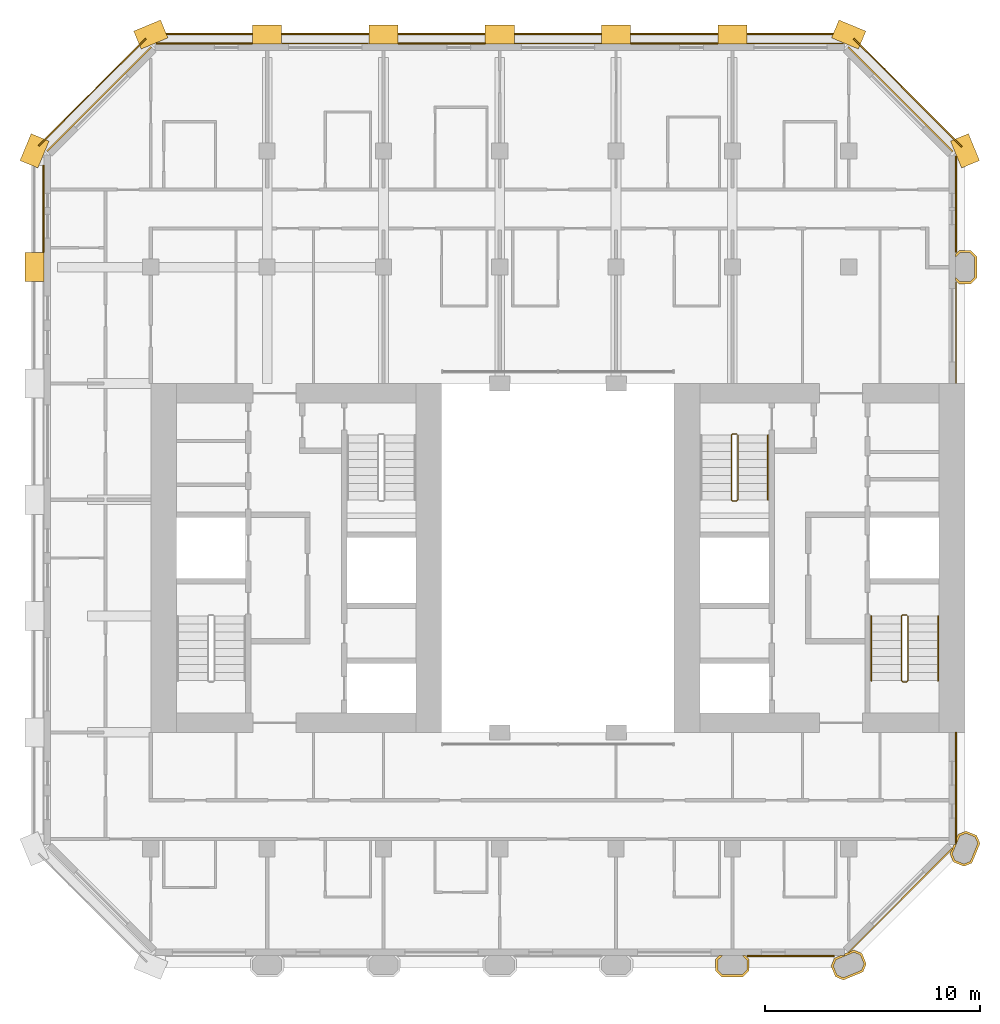
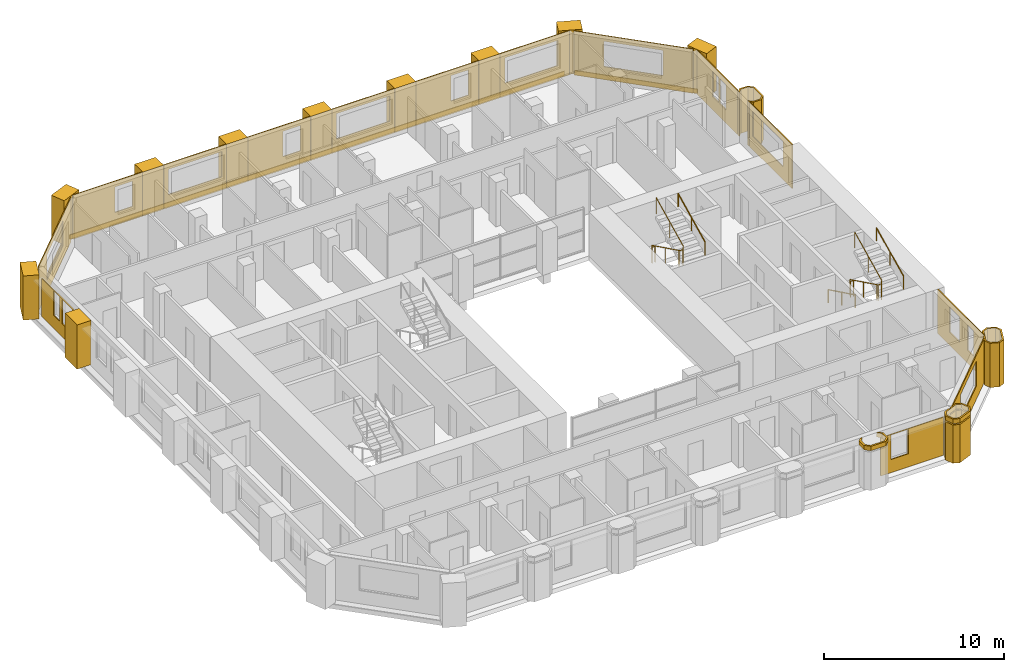
# One storey, part 13 of 13: 32 coverings, 5 railings.
"""IFC4 building model written with IfcOpenShell, lengths in metres."""

from ifc_helpers import new_model, si_unit, direction, frame, frame_2d, origin, origin_2d, place, context, subcontext, project, spatial, polyline, rectangle, circle, outline, extrude, material, layer, layer_set, type_object, element, save


model = new_model("IFC4")

# Units and contexts
model_context = context("Model", 3, precision=1e-05, world=origin(), true_north=direction((0.0, 1.0)))
body_context = subcontext(model_context, "Body", "Model", "MODEL_VIEW")
ifc_project = project(units=[si_unit("LENGTHUNIT", "METRE"), si_unit("AREAUNIT", "SQUARE_METRE"), si_unit("VOLUMEUNIT", "CUBIC_METRE"), si_unit("PLANEANGLEUNIT", "RADIAN"), si_unit("MASSUNIT", "GRAM", prefix="KILO")], contexts=[model_context])

# Site, building, storey
site_placement = place(None, origin())
site = spatial("IfcSite", under=ifc_project, at=site_placement, CompositionType="ELEMENT")
building_placement = place(site_placement, origin())
building = spatial("IfcBuilding", under=site, at=building_placement, Name="Tabaq Tower and Sports Hall", CompositionType="ELEMENT")
storey_placement = place(building_placement, frame((0.0, 0.0, 220.300048828125)))
storey = spatial("IfcBuildingStorey", under=building, at=storey_placement, Name="L55", CompositionType="ELEMENT", Elevation=220.300048828125)

# Coverings
ifc_material_1 = material(Name="Precast concrete C60/75", Category="concrete")
ifc_layer_1 = layer(ifc_material_1, 0.10009765625)
ifc_layer_set_1 = layer_set([ifc_layer_1], Name="Column cladding 100")
covering_type_1 = type_object("IfcCoveringType", Name="Column cladding 100", PredefinedType="CLADDING", material=ifc_layer_set_1)
covering_1_placement = place(storey_placement, frame((0.0, 0.0, 2.699951171875)))
element("IfcCovering", 1, at=covering_1_placement, inside=storey, type_object=covering_type_1, Name="Column cladding L55 PC-7B-H3 2", PredefinedType="CLADDING", context=body_context, shape_type="SweptSolid", body=[
    extrude(outline(polyline([(31.625244140625, 5.666259765625), (31.80859375, 5.849609375), (31.94921875, 5.849609375), (31.724609375, 5.625244140625), (31.724609375, 5.1748046875), (31.949951171875, 4.94970703125), (32.85009765625, 4.94970703125), (33.0751953125, 5.1748046875), (33.0751953125, 5.625244140625), (32.850830078125, 5.849609375), (32.9912109375, 5.849609375), (33.1748046875, 5.666259765625), (33.1748046875, 5.1337890625), (32.891357421875, 4.850341796875), (31.90869140625, 4.850341796875), (31.625244140625, 5.1337890625), (31.625244140625, 5.666259765625)])), origin(), (0.0, 0.0, 1.0), 0.300048828125),
])
covering_2_placement = place(storey_placement, origin())
element("IfcCovering", 2, at=covering_2_placement, inside=storey, type_object=covering_type_1, Name="Column cladding L55 PC-8B-H3", PredefinedType="CLADDING", context=body_context, shape_type="SweptSolid", body=[
    extrude(outline(polyline([(36.982421875, 5.349609375), (37.1357421875, 5.7197265625), (37.44921875, 5.849609375), (37.614013671875, 5.849609375), (37.614013671875, 5.91796875), (37.767578125, 5.9814453125), (37.799072265625, 5.9501953125), (37.875, 6.026123046875), (38.04345703125, 6.095947265625), (38.413818359375, 5.9423828125), (38.61767578125, 5.450439453125), (38.46435546875, 5.080078125), (37.556396484375, 4.7041015625), (37.186279296875, 4.857421875), (36.982421875, 5.349609375)]), holes=[polyline([(38.510009765625, 5.450439453125), (38.337646484375, 5.866455078125), (38.04345703125, 5.98828125), (37.2119140625, 5.643798828125), (37.08984375, 5.349609375), (37.26220703125, 4.93359375), (37.556396484375, 4.811767578125), (38.38818359375, 5.15625), (38.510009765625, 5.450439453125)])]), origin(), (0.0, 0.0, 1.0), 2.599853515625),
])
covering_3_placement = place(storey_placement, frame((0.0, 0.0, 2.699951171875)))
element("IfcCovering", 3, at=covering_3_placement, inside=storey, type_object=covering_type_1, Name="Column cladding L55 PC-8B-H3 2", PredefinedType="CLADDING", context=body_context, shape_type="SweptSolid", body=[
    extrude(outline(polyline([(36.982421875, 5.349609375), (37.1357421875, 5.7197265625), (37.44921875, 5.849609375), (37.614013671875, 5.849609375), (37.614013671875, 5.91796875), (37.767578125, 5.9814453125), (37.799072265625, 5.9501953125), (37.875, 6.026123046875), (38.04345703125, 6.095947265625), (38.413818359375, 5.9423828125), (38.61767578125, 5.450439453125), (38.46435546875, 5.080078125), (37.556396484375, 4.7041015625), (37.186279296875, 4.857421875), (36.982421875, 5.349609375)]), holes=[polyline([(38.510009765625, 5.450439453125), (38.337646484375, 5.866455078125), (38.04345703125, 5.98828125), (37.2119140625, 5.643798828125), (37.08984375, 5.349609375), (37.26220703125, 4.93359375), (37.556396484375, 4.811767578125), (38.38818359375, 5.15625), (38.510009765625, 5.450439453125)])]), origin(), (0.0, 0.0, 1.0), 0.300048828125),
])
covering_4_placement = place(storey_placement, origin())
element("IfcCovering", 4, at=covering_4_placement, inside=storey, type_object=covering_type_1, Name="Column cladding L55 PC-9C-H3", PredefinedType="CLADDING", context=body_context, shape_type="SweptSolid", body=[
    extrude(outline(polyline([(42.657470703125, 10.186279296875), (42.504150390625, 10.556396484375), (42.573974609375, 10.72509765625), (42.64990234375, 10.801025390625), (42.618408203125, 10.83251953125), (42.68212890625, 10.986083984375), (42.750244140625, 10.986083984375), (42.750244140625, 11.04296875), (42.810302734375, 11.04296875), (42.810302734375, 11.295654296875), (42.880126953125, 11.46435546875), (43.25048828125, 11.61767578125), (43.742431640625, 11.413818359375), (43.895751953125, 11.04345703125), (43.519775390625, 10.1357421875), (43.149658203125, 9.982421875), (42.657470703125, 10.186279296875)]), holes=[polyline([(43.66650390625, 11.337646484375), (43.25048828125, 11.510009765625), (42.956298828125, 11.38818359375), (42.61181640625, 10.556396484375), (42.733642578125, 10.26220703125), (43.149658203125, 10.08984375), (43.44384765625, 10.2119140625), (43.788330078125, 11.04345703125), (43.66650390625, 11.337646484375)])]), origin(), (0.0, 0.0, 1.0), 3.0),
])
covering_5_placement = place(storey_placement, origin())
element("IfcCovering", 5, at=covering_5_placement, inside=storey, type_object=covering_type_1, Name="Column cladding L55 PC-9H-H3", PredefinedType="CLADDING", context=body_context, shape_type="SweptSolid", body=[
    extrude(outline(polyline([(42.93359375, 37.025390625), (42.750244140625, 37.208740234375), (42.750244140625, 37.349365234375), (42.974853515625, 37.124755859375), (43.425048828125, 37.124755859375), (43.650390625, 37.349853515625), (43.650390625, 38.250244140625), (43.425048828125, 38.475341796875), (42.974853515625, 38.475341796875), (42.750244140625, 38.250732421875), (42.750244140625, 38.391357421875), (42.93359375, 38.57470703125), (43.46630859375, 38.57470703125), (43.749755859375, 38.291259765625), (43.749755859375, 37.30859375), (43.46630859375, 37.025390625), (42.93359375, 37.025390625)])), origin(), (0.0, 0.0, 1.0), 3.0),
])
ifc_material_2 = material(Name="Precast concrete C60/75", Category="concrete")
ifc_layer_2 = layer(ifc_material_2, 0.06005859375)
ifc_layer_set_2 = layer_set([ifc_layer_2], Name="Edge beam cladding 60")
covering_type_2 = type_object("IfcCoveringType", Name="Edge beam cladding 60", PredefinedType="CLADDING", material=ifc_layer_set_2)
covering_6_placement = place(storey_placement, frame((43.04443359375, 43.39794921875, -0.300048828125), z_axis=(0.0, 0.0, 1.0), x_axis=(-0.707106781187, 0.707106781187, 0.0)))
element("IfcCovering", 6, at=covering_6_placement, inside=storey, type_object=covering_type_2, Name="Edge beam cladding L55 1", PredefinedType="CLADDING", context=body_context, shape_type="SweptSolid", body=[
    extrude(rectangle(XDim=7.08837890625, YDim=0.06005859375, at=frame_2d((3.544189453125, 0.0))), origin(), (0.0, 0.0, 1.0), 0.300048828125),
])
covering_7_placement = place(storey_placement, frame((37.50146484375, 48.6298828125, -0.300048828125), z_axis=(0.0, 0.0, 1.0), x_axis=(-1.0, 0.0, 0.0)))
element("IfcCovering", 7, at=covering_7_placement, inside=storey, type_object=covering_type_2, Name="Edge beam cladding L55 2", PredefinedType="CLADDING", context=body_context, shape_type="SweptSolid", body=[
    extrude(rectangle(XDim=31.802978515625, YDim=0.06005859375, at=frame_2d((15.9013671875, 0.0))), origin(), (0.0, 0.0, 1.0), 0.300048828125),
])
covering_8_placement = place(storey_placement, frame((5.167724609375, 48.41015625, -0.300048828125), z_axis=(0.0, 0.0, 1.0), x_axis=(-0.707106781187, -0.707106781187, 0.0)))
element("IfcCovering", 8, at=covering_8_placement, inside=storey, type_object=covering_type_2, Name="Edge beam cladding L55 3", PredefinedType="CLADDING", context=body_context, shape_type="SweptSolid", body=[
    extrude(rectangle(XDim=7.03955078125, YDim=0.06005859375, at=frame_2d((3.519775390625, 0.0))), origin(), (0.0, 0.0, 1.0), 0.300048828125),
])
ifc_material_3 = material(Name="White precast concrete C60/75", Category="concrete")
covering_type_3 = type_object("IfcCoveringType", Name="Pier cladding hung 1350x900", PredefinedType="CLADDING", material=ifc_material_3)
for number, where, z_axis, x_axis, name in (
    (9, (0.0, 38.47509765625, 0.0), (0.0, 0.0, 1.0), (0.0, -1.0, 0.0), "Hung pier cladding 0/7"),
    (10, (0.25830078125, 43.82373046875, 0.0), (0.0, 0.0, 1.0), (-0.382649923473, -0.923893411637, 0.0), "Hung pier cladding 0/8"),
    (11, (6.023681640625, 48.8583984375, 0.0), (0.0, 0.0, 1.0), (-0.923893411637, -0.382649923473, 0.0), "Hung pier cladding 1/9"),
    (12, (11.47509765625, 48.60009765625, 0.0), (0.0, 0.0, 1.0), (-1.0, 0.0, 0.0), "Hung pier cladding 2/9"),
    (13, (16.875, 48.60009765625, 0.0), (0.0, 0.0, 1.0), (-1.0, 0.0, 0.0), "Hung pier cladding 3/9"),
):
    element("IfcCovering", number, at=place(storey_placement, frame(where, z_axis=z_axis, x_axis=x_axis)), inside=storey, type_object=covering_type_3, Name=name, PredefinedType="CLADDING", context=body_context, shape_type="SweptSolid", body=[
        extrude(rectangle(XDim=1.35009765625, YDim=0.89990234375, at=frame_2d((0.675048828125, 0.0))), origin(), (0.0, 0.0, 1.0), 3.0),
    ])
covering_9_placement = place(storey_placement, frame((22.27490234375, 48.60009765625, 0.0), z_axis=(0.0, 0.0, 1.0), x_axis=(-1.0, 0.0, 0.0)))
element("IfcCovering", 14, at=covering_9_placement, inside=storey, type_object=covering_type_3, Name="Hung pier cladding 4/9", PredefinedType="CLADDING", context=body_context, shape_type="SweptSolid", body=[
    extrude(rectangle(XDim=1.349853515625, YDim=0.89990234375, at=frame_2d((0.6748046875, 0.0))), origin(), (0.0, 0.0, 1.0), 3.0),
])
covering_10_placement = place(storey_placement, frame((27.675048828125, 48.60009765625, 0.0), z_axis=(0.0, 0.0, 1.0), x_axis=(-1.0, 0.0, 0.0)))
element("IfcCovering", 15, at=covering_10_placement, inside=storey, type_object=covering_type_3, Name="Hung pier cladding 5/9", PredefinedType="CLADDING", context=body_context, shape_type="SweptSolid", body=[
    extrude(rectangle(XDim=1.35009765625, YDim=0.89990234375, at=frame_2d((0.675048828125, 0.0))), origin(), (0.0, 0.0, 1.0), 3.0),
])
covering_11_placement = place(storey_placement, frame((33.074951171875, 48.60009765625, 0.0), z_axis=(0.0, 0.0, 1.0), x_axis=(-1.0, 0.0, 0.0)))
element("IfcCovering", 16, at=covering_11_placement, inside=storey, type_object=covering_type_3, Name="Hung pier cladding 6/9", PredefinedType="CLADDING", context=body_context, shape_type="SweptSolid", body=[
    extrude(rectangle(XDim=1.349853515625, YDim=0.89990234375, at=frame_2d((0.6748046875, 0.0))), origin(), (0.0, 0.0, 1.0), 3.0),
])
for number, where, z_axis, x_axis, name in (
    (17, (38.423583984375, 48.341796875, 0.0), (0.0, 0.0, 1.0), (-0.923893411637, 0.382649923473, 0.0), "Hung pier cladding 7/9"),
    (18, (43.458251953125, 42.576416015625, 0.0), (0.0, 0.0, 1.0), (-0.382649923473, 0.923893411637, 0.0), "Hung pier cladding 8/8"),
):
    element("IfcCovering", number, at=place(storey_placement, frame(where, z_axis=z_axis, x_axis=x_axis)), inside=storey, type_object=covering_type_3, Name=name, PredefinedType="CLADDING", context=body_context, shape_type="SweptSolid", body=[
        extrude(rectangle(XDim=1.35009765625, YDim=0.89990234375, at=frame_2d((0.675048828125, 0.0))), origin(), (0.0, 0.0, 1.0), 3.0),
    ])

# Railings
ifc_material_4 = material(Name="Stainless steel", Category="steel")
railing_type_1 = type_object("IfcRailingType", Name="Stair guard", PredefinedType="GUARDRAIL", material=ifc_material_4)
railing_1_placement = place(storey_placement, frame((40.5, 21.64990234375, 0.0)))
element("IfcRailing", 19, at=railing_1_placement, inside=storey, type_object=railing_type_1, Name="L55 ST3 stair guard 1", PredefinedType="GUARDRAIL", context=body_context, shape_type="SweptSolid", body=[
    extrude(circle(Radius=0.02392578125, at=origin_2d()), frame((0.0, 0.0, 1.076171875), z_axis=(-1.0, 0.0, 0.0), x_axis=(0.0, -1.0, 0.0)), (0.0, 0.0, 1.0), 0.199951171875),
    extrude(circle(Radius=0.02392578125, at=origin_2d()), frame((-0.199951171875, 0.0, 1.076171875), z_axis=(-0.254733673405, -0.25349107012, 0.933195066962), x_axis=(0.705375805398, -0.708833529934, 0.0)), (0.0, 0.0, 1.0), 0.196533203125),
    extrude(circle(Radius=0.02392578125, at=origin_2d()), frame((-0.25, -0.0498046875, 1.25927734375), z_axis=(0.0, -0.898397823093, 0.439182594671), x_axis=(1.0, 0.0, 0.0)), (0.0, 0.0, 1.0), 3.33935546875),
    extrude(circle(Radius=0.02392578125, at=origin_2d()), frame((-0.25, -3.0498046875, 2.72607421875), z_axis=(0.707106781187, -0.707106781187, 0.0), x_axis=(0.707106781187, 0.707106781187, 0.0)), (0.0, 0.0, 1.0), 0.07080078125),
    extrude(circle(Radius=0.02392578125, at=origin_2d()), frame((-0.199951171875, -3.099853515625, 2.72607421875), z_axis=(1.0, 0.0, 0.0), x_axis=(0.0, 1.0, 0.0)), (0.0, 0.0, 1.0), 0.199951171875),
    extrude(circle(Radius=0.02392578125, at=origin_2d()), frame((0.0, -3.099853515625, 2.72607421875), z_axis=(0.254653276557, 0.254653276557, 0.932900539971), x_axis=(-0.707106781187, 0.707106781187, 0.0)), (0.0, 0.0, 1.0), 0.196533203125),
    extrude(circle(Radius=0.02392578125, at=origin_2d()), frame((0.050048828125, -3.0498046875, 2.9091796875), z_axis=(0.0, 0.898368975038, 0.439241601728), x_axis=(-1.0, 0.0, 0.0)), (0.0, 0.0, 1.0), 3.33935546875),
    extrude(circle(Radius=0.02099609375, at=origin_2d()), origin(), (0.0, 0.0, 1.0), 1.052001953125),
    extrude(circle(Radius=0.02099609375, at=origin_2d()), frame((-0.199951171875, 0.0, 0.0)), (0.0, 0.0, 1.0), 1.052001953125),
    extrude(circle(Radius=0.02099609375, at=origin_2d()), frame((-0.25, -0.0498046875, 0.183349609375)), (0.0, 0.0, 1.0), 1.052001953125),
    extrude(circle(Radius=0.02099609375, at=origin_2d()), frame((-0.25, -1.5498046875, 0.91650390625)), (0.0, 0.0, 1.0), 1.052001953125),
    extrude(circle(Radius=0.02099609375, at=origin_2d()), frame((-0.25, -3.0498046875, 1.64990234375)), (0.0, 0.0, 1.0), 1.052001953125),
    extrude(circle(Radius=0.02099609375, at=origin_2d()), frame((-0.199951171875, -3.099853515625, 1.64990234375)), (0.0, 0.0, 1.0), 1.052001953125),
    extrude(circle(Radius=0.02099609375, at=origin_2d()), frame((0.0, -3.099853515625, 1.64990234375)), (0.0, 0.0, 1.0), 1.052001953125),
    extrude(circle(Radius=0.02099609375, at=origin_2d()), frame((0.050048828125, -3.0498046875, 1.833251953125)), (0.0, 0.0, 1.0), 1.052001953125),
    extrude(circle(Radius=0.02099609375, at=origin_2d()), frame((0.050048828125, -1.5498046875, 2.566650390625)), (0.0, 0.0, 1.0), 1.052001953125),
    extrude(circle(Radius=0.02099609375, at=origin_2d()), frame((0.050048828125, -0.0498046875, 3.300048828125)), (0.0, 0.0, 1.0), 1.052001953125),
])
railing_2_placement = place(storey_placement, frame((32.60009765625, 30.050048828125, 0.0)))
element("IfcRailing", 20, at=railing_2_placement, inside=storey, type_object=railing_type_1, Name="L55 ST4 stair guard 1", PredefinedType="GUARDRAIL", context=body_context, shape_type="SweptSolid", body=[
    extrude(circle(Radius=0.02392578125, at=origin_2d()), frame((0.0, 0.0, 1.076171875), z_axis=(-1.0, 0.0, 0.0), x_axis=(0.0, -1.0, 0.0)), (0.0, 0.0, 1.0), 0.2001953125),
    extrude(circle(Radius=0.02392578125, at=origin_2d()), frame((-0.2001953125, 0.0, 1.076171875), z_axis=(-0.25349107012, -0.254733673405, 0.933195066962), x_axis=(0.708833529934, -0.705375805398, 0.0)), (0.0, 0.0, 1.0), 0.196533203125),
    extrude(circle(Radius=0.02392578125, at=origin_2d()), frame((-0.25, -0.050048828125, 1.25927734375), z_axis=(0.0, -0.898397823093, 0.439182594671), x_axis=(1.0, 0.0, 0.0)), (0.0, 0.0, 1.0), 3.33935546875),
    extrude(circle(Radius=0.02392578125, at=origin_2d()), frame((-0.25, -3.050048828125, 2.72607421875), z_axis=(0.705375805398, -0.708833529934, 0.0), x_axis=(0.708833529934, 0.705375805398, 0.0)), (0.0, 0.0, 1.0), 0.070556640625),
    extrude(circle(Radius=0.02392578125, at=origin_2d()), frame((-0.2001953125, -3.10009765625, 2.72607421875), z_axis=(1.0, 0.0, 0.0), x_axis=(0.0, 1.0, 0.0)), (0.0, 0.0, 1.0), 0.2001953125),
    extrude(circle(Radius=0.02392578125, at=origin_2d()), frame((0.0, -3.10009765625, 2.72607421875), z_axis=(0.25349107012, 0.254733673405, 0.933195066962), x_axis=(-0.708833529934, 0.705375805398, 0.0)), (0.0, 0.0, 1.0), 0.196533203125),
    extrude(circle(Radius=0.02392578125, at=origin_2d()), frame((0.0498046875, -3.050048828125, 2.9091796875), z_axis=(0.0, 0.898368975038, 0.439241601728), x_axis=(-1.0, 0.0, 0.0)), (0.0, 0.0, 1.0), 3.33935546875),
    extrude(circle(Radius=0.02099609375, at=origin_2d()), origin(), (0.0, 0.0, 1.0), 1.052001953125),
    extrude(circle(Radius=0.02099609375, at=origin_2d()), frame((-0.2001953125, 0.0, 0.0)), (0.0, 0.0, 1.0), 1.052001953125),
    extrude(circle(Radius=0.02099609375, at=origin_2d()), frame((-0.25, -0.050048828125, 0.183349609375)), (0.0, 0.0, 1.0), 1.052001953125),
    extrude(circle(Radius=0.02099609375, at=origin_2d()), frame((-0.25, -1.550048828125, 0.91650390625)), (0.0, 0.0, 1.0), 1.052001953125),
    extrude(circle(Radius=0.02099609375, at=origin_2d()), frame((-0.25, -3.050048828125, 1.64990234375)), (0.0, 0.0, 1.0), 1.052001953125),
    extrude(circle(Radius=0.02099609375, at=origin_2d()), frame((-0.2001953125, -3.10009765625, 1.64990234375)), (0.0, 0.0, 1.0), 1.052001953125),
    extrude(circle(Radius=0.02099609375, at=origin_2d()), frame((0.0, -3.10009765625, 1.64990234375)), (0.0, 0.0, 1.0), 1.052001953125),
    extrude(circle(Radius=0.02099609375, at=origin_2d()), frame((0.0498046875, -3.050048828125, 1.833251953125)), (0.0, 0.0, 1.0), 1.052001953125),
    extrude(circle(Radius=0.02099609375, at=origin_2d()), frame((0.0498046875, -1.550048828125, 2.566650390625)), (0.0, 0.0, 1.0), 1.052001953125),
    extrude(circle(Radius=0.02099609375, at=origin_2d()), frame((0.0498046875, -0.050048828125, 3.300048828125)), (0.0, 0.0, 1.0), 1.052001953125),
])
ifc_material_5 = material(Name="Stainless steel", Category="steel")
railing_type_2 = type_object("IfcRailingType", Name="Stair handrail", PredefinedType="HANDRAIL", material=ifc_material_5)
railing_3_placement = place(storey_placement, frame((38.85009765625, 21.60009765625, 0.183349609375)))
element("IfcRailing", 21, at=railing_3_placement, inside=storey, type_object=railing_type_2, Name="L55 ST3 stair handrail 1", PredefinedType="HANDRAIL", context=body_context, shape_type="SweptSolid", body=[
    extrude(circle(Radius=0.02392578125, at=origin_2d()), frame((0.0, 0.0, 0.8759765625), z_axis=(0.0, -0.898397823093, 0.439182594671), x_axis=(1.0, 0.0, 0.0)), (0.0, 0.0, 1.0), 3.33935546875),
    extrude(circle(Radius=0.02099609375, at=origin_2d()), origin(), (0.0, 0.0, 1.0), 0.851806640625),
    extrude(circle(Radius=0.02099609375, at=origin_2d()), frame((0.0, -1.5, 0.7333984375)), (0.0, 0.0, 1.0), 0.851806640625),
    extrude(circle(Radius=0.02099609375, at=origin_2d()), frame((0.0, -3.0, 1.466552734375)), (0.0, 0.0, 1.0), 0.851806640625),
])
for number, where, name in (
    (22, (41.949951171875, 18.60009765625, 1.833251953125), "L55 ST3 stair handrail 2"),
    (23, (34.050048828125, 27.0, 1.833251953125), "L55 ST4 stair handrail 2"),
):
    element("IfcRailing", number, at=place(storey_placement, frame(where)), inside=storey, type_object=railing_type_2, Name=name, PredefinedType="HANDRAIL", context=body_context, shape_type="SweptSolid", body=[
        extrude(circle(Radius=0.02392578125, at=origin_2d()), frame((0.0, 0.0, 0.8759765625), z_axis=(0.0, 0.898368975038, 0.439241601728), x_axis=(-1.0, 0.0, 0.0)), (0.0, 0.0, 1.0), 3.33935546875),
        extrude(circle(Radius=0.02099609375, at=origin_2d()), origin(), (0.0, 0.0, 1.0), 0.851806640625),
        extrude(circle(Radius=0.02099609375, at=origin_2d()), frame((0.0, 1.5, 0.7333984375)), (0.0, 0.0, 1.0), 0.851806640625),
        extrude(circle(Radius=0.02099609375, at=origin_2d()), frame((0.0, 3.0, 1.466796875)), (0.0, 0.0, 1.0), 0.851806640625),
    ])

# Coverings
ifc_material_6 = material(Name="Precast concrete C60/75", Category="concrete")
ifc_layer_3 = layer(ifc_material_6, 0.06005859375)
ifc_layer_set_3 = layer_set([ifc_layer_3], Name="White precast cladding panel 60 C60/75")
covering_type_4 = type_object("IfcCoveringType", Name="White precast cladding panel 60 C60/75", PredefinedType="CLADDING", material=ifc_layer_set_3)
covering_12_placement = place(storey_placement, frame((33.0849609375, 5.820068359375, 0.0), z_axis=(0.0, 0.0, 1.0), x_axis=(1.0, 0.0, 0.0)))
element("IfcCovering", 24, at=covering_12_placement, inside=storey, type_object=covering_type_4, Name="White precast cladding panel L55 wall00 6", PredefinedType="CLADDING", context=body_context, shape_type="SweptSolid", body=[
    extrude(outline(polyline([(0.0, 0.0), (4.050048828125, 0.0), (4.050048828125, 2.58984375), (0.0, 2.58984375), (0.0, 0.0)]), holes=[polyline([(1.77490234375, 0.889892578125), (0.655029296875, 0.889892578125), (0.655029296875, 2.56005859375), (1.77490234375, 2.56005859375), (1.77490234375, 0.889892578125)])]), frame((0.0, 0.030029296875, 0.0), z_axis=(0.0, -1.0, 0.0), x_axis=(1.0, 0.0, 0.0)), (0.0, 0.0, 1.0), 0.06005859375),
])
covering_13_placement = place(storey_placement, frame((37.77783203125, 5.9716796875, 0.0), z_axis=(0.0, 0.0, 1.0), x_axis=(0.707088985397, 0.707124576528, 0.0)))
element("IfcCovering", 25, at=covering_13_placement, inside=storey, type_object=covering_type_4, Name="White precast cladding panel L55 wall01", PredefinedType="CLADDING", context=body_context, shape_type="SweptSolid", body=[
    extrude(outline(polyline([(0.0, 0.0), (6.859619140625, 0.0), (6.859619140625, 3.0), (0.0, 3.0), (0.0, 0.0)]), holes=[polyline([(1.7197265625, 0.889892578125), (1.7197265625, 2.60986328125), (5.139892578125, 2.60986328125), (5.139892578125, 0.889892578125), (1.7197265625, 0.889892578125)])]), frame((0.0, 0.030029296875, 0.0), z_axis=(0.0, -1.0, 0.0), x_axis=(1.0, 0.0, 0.0)), (0.0, 0.0, 1.0), 0.06005859375),
])
covering_14_placement = place(storey_placement, frame((42.780029296875, 11.043212890625, 0.0), z_axis=(0.0, 0.0, 1.0), x_axis=(0.0, 1.0, 0.0)))
element("IfcCovering", 26, at=covering_14_placement, inside=storey, type_object=covering_type_4, Name="White precast cladding panel L55 wall02", PredefinedType="CLADDING", context=body_context, shape_type="SweptSolid", body=[
    extrude(outline(polyline([(0.0, 0.0), (5.15673828125, 0.0), (5.15673828125, 3.0), (0.0, 3.0), (0.0, 0.0)]), holes=[polyline([(1.171875, 2.60986328125), (1.841796875, 2.60986328125), (1.841796875, 0.889892578125), (1.171875, 0.889892578125), (1.171875, 2.60986328125)]), polyline([(2.69677734375, 2.60986328125), (3.81689453125, 2.60986328125), (3.81689453125, 0.889892578125), (2.69677734375, 0.889892578125), (2.69677734375, 2.60986328125)])]), frame((0.0, 0.030029296875, 0.0), z_axis=(0.0, -1.0, 0.0), x_axis=(1.0, 0.0, 0.0)), (0.0, 0.0, 1.0), 0.06005859375),
])
covering_15_placement = place(storey_placement, frame((42.780029296875, 32.39990234375, 0.0), z_axis=(0.0, 0.0, 1.0), x_axis=(0.0, 1.0, 0.0)))
element("IfcCovering", 27, at=covering_15_placement, inside=storey, type_object=covering_type_4, Name="White precast cladding panel L55 wall02-1", PredefinedType="CLADDING", context=body_context, shape_type="SweptSolid", body=[
    extrude(outline(polyline([(0.0, 0.0), (4.715087890625, 0.0), (4.715087890625, 3.0), (0.0, 3.0), (0.0, 0.0)]), holes=[polyline([(0.989990234375, 0.889892578125), (0.989990234375, 2.60986328125), (4.409912109375, 2.60986328125), (4.409912109375, 0.889892578125), (0.989990234375, 0.889892578125)])]), frame((0.0, 0.030029296875, 0.0), z_axis=(0.0, -1.0, 0.0), x_axis=(1.0, 0.0, 0.0)), (0.0, 0.0, 1.0), 0.06005859375),
])
covering_16_placement = place(storey_placement, frame((42.780029296875, 38.485107421875, 0.0), z_axis=(0.0, 0.0, 1.0), x_axis=(0.0, 1.0, 0.0)))
element("IfcCovering", 28, at=covering_16_placement, inside=storey, type_object=covering_type_4, Name="White precast cladding panel L55 wall02-1 2", PredefinedType="CLADDING", context=body_context, shape_type="SweptSolid", body=[
    extrude(outline(polyline([(0.0, 0.0), (4.4716796875, 0.0), (4.4716796875, 3.0), (0.0, 3.0), (0.0, 0.0)]), holes=[polyline([(1.280029296875, 2.60986328125), (1.949951171875, 2.60986328125), (1.949951171875, 0.889892578125), (1.280029296875, 0.889892578125), (1.280029296875, 2.60986328125)]), polyline([(2.080078125, 2.60986328125), (2.75, 2.60986328125), (2.75, 0.889892578125), (2.080078125, 0.889892578125), (2.080078125, 2.60986328125)])]), frame((0.0, 0.030029296875, 0.0), z_axis=(0.0, -1.0, 0.0), x_axis=(1.0, 0.0, 0.0)), (0.0, 0.0, 1.0), 0.06005859375),
])
covering_17_placement = place(storey_placement, frame((42.628173828125, 43.177734375, 0.0), z_axis=(0.0, 0.0, 1.0), x_axis=(-0.707088985397, 0.707124576528, 0.0)))
element("IfcCovering", 29, at=covering_17_placement, inside=storey, type_object=covering_type_4, Name="White precast cladding panel L55 wall03", PredefinedType="CLADDING", context=body_context, shape_type="SweptSolid", body=[
    extrude(outline(polyline([(0.0, 0.0), (6.859619140625, 0.0), (6.859619140625, 3.0), (0.0, 3.0), (0.0, 0.0)]), holes=[polyline([(1.7197265625, 0.889892578125), (1.7197265625, 2.60986328125), (5.139892578125, 2.60986328125), (5.139892578125, 0.889892578125), (1.7197265625, 0.889892578125)])]), frame((0.0, 0.030029296875, 0.0), z_axis=(0.0, -1.0, 0.0), x_axis=(1.0, 0.0, 0.0)), (0.0, 0.0, 1.0), 0.06005859375),
])
covering_18_placement = place(storey_placement, frame((37.556884765625, 48.179931640625, 0.0), z_axis=(0.0, 0.0, 1.0), x_axis=(-1.0, 0.0, 0.0)))
element("IfcCovering", 30, at=covering_18_placement, inside=storey, type_object=covering_type_4, Name="White precast cladding panel L55 wall04", PredefinedType="CLADDING", context=body_context, shape_type="SweptSolid", body=[
    extrude(outline(polyline([(0.0, 0.0), (4.471923828125, 0.0), (4.471923828125, 3.0), (0.0, 3.0), (0.0, 0.0)]), holes=[polyline([(0.746826171875, 0.889892578125), (0.746826171875, 2.60986328125), (4.166748046875, 2.60986328125), (4.166748046875, 0.889892578125), (0.746826171875, 0.889892578125)])]), frame((0.0, 0.030029296875, 0.0), z_axis=(0.0, -1.0, 0.0), x_axis=(1.0, 0.0, 0.0)), (0.0, 0.0, 1.0), 0.06005859375),
])
covering_19_placement = place(storey_placement, frame((31.715087890625, 48.179931640625, 0.0), z_axis=(0.0, 0.0, 1.0), x_axis=(-1.0, 0.0, 0.0)))
element("IfcCovering", 31, at=covering_19_placement, inside=storey, type_object=covering_type_4, Name="White precast cladding panel L55 wall04 2", PredefinedType="CLADDING", context=body_context, shape_type="SweptSolid", body=[
    extrude(outline(polyline([(0.0, 0.0), (4.030029296875, 0.0), (4.030029296875, 3.0), (0.0, 3.0), (0.0, 0.0)]), holes=[polyline([(0.655029296875, 0.889892578125), (0.655029296875, 2.60986328125), (1.77490234375, 2.60986328125), (1.77490234375, 0.889892578125), (0.655029296875, 0.889892578125)])]), frame((0.0, 0.030029296875, 0.0), z_axis=(0.0, -1.0, 0.0), x_axis=(1.0, 0.0, 0.0)), (0.0, 0.0, 1.0), 0.06005859375),
])
covering_20_placement = place(storey_placement, frame((26.31494140625, 48.179931640625, 0.0), z_axis=(0.0, 0.0, 1.0), x_axis=(-1.0, 0.0, 0.0)))
element("IfcCovering", 32, at=covering_20_placement, inside=storey, type_object=covering_type_4, Name="White precast cladding panel L55 wall04 3", PredefinedType="CLADDING", context=body_context, shape_type="SweptSolid", body=[
    extrude(outline(polyline([(0.0, 0.0), (4.030029296875, 0.0), (4.030029296875, 3.0), (0.0, 3.0), (0.0, 0.0)]), holes=[polyline([(0.304931640625, 0.889892578125), (0.304931640625, 2.60986328125), (3.72509765625, 2.60986328125), (3.72509765625, 0.889892578125), (0.304931640625, 0.889892578125)])]), frame((0.0, 0.030029296875, 0.0), z_axis=(0.0, -1.0, 0.0), x_axis=(1.0, 0.0, 0.0)), (0.0, 0.0, 1.0), 0.06005859375),
])
covering_21_placement = place(storey_placement, frame((20.9150390625, 48.179931640625, 0.0), z_axis=(0.0, 0.0, 1.0), x_axis=(-1.0, 0.0, 0.0)))
element("IfcCovering", 33, at=covering_21_placement, inside=storey, type_object=covering_type_4, Name="White precast cladding panel L55 wall04 4", PredefinedType="CLADDING", context=body_context, shape_type="SweptSolid", body=[
    extrude(outline(polyline([(0.0, 0.0), (4.030029296875, 0.0), (4.030029296875, 3.0), (0.0, 3.0), (0.0, 0.0)]), holes=[polyline([(0.655029296875, 0.889892578125), (0.655029296875, 2.60986328125), (1.77490234375, 2.60986328125), (1.77490234375, 0.889892578125), (0.655029296875, 0.889892578125)])]), frame((0.0, 0.030029296875, 0.0), z_axis=(0.0, -1.0, 0.0), x_axis=(1.0, 0.0, 0.0)), (0.0, 0.0, 1.0), 0.06005859375),
])
covering_22_placement = place(storey_placement, frame((15.514892578125, 48.179931640625, 0.0), z_axis=(0.0, 0.0, 1.0), x_axis=(-1.0, 0.0, 0.0)))
element("IfcCovering", 34, at=covering_22_placement, inside=storey, type_object=covering_type_4, Name="White precast cladding panel L55 wall04 5", PredefinedType="CLADDING", context=body_context, shape_type="SweptSolid", body=[
    extrude(outline(polyline([(0.0, 0.0), (4.02978515625, 0.0), (4.02978515625, 3.0), (0.0, 3.0), (0.0, 0.0)]), holes=[polyline([(0.304931640625, 0.889892578125), (0.304931640625, 2.60986328125), (3.72509765625, 2.60986328125), (3.72509765625, 0.889892578125), (0.304931640625, 0.889892578125)])]), frame((0.0, 0.030029296875, 0.0), z_axis=(0.0, -1.0, 0.0), x_axis=(1.0, 0.0, 0.0)), (0.0, 0.0, 1.0), 0.06005859375),
])
covering_23_placement = place(storey_placement, frame((10.114990234375, 48.179931640625, 0.0), z_axis=(0.0, 0.0, 1.0), x_axis=(-1.0, 0.0, 0.0)))
element("IfcCovering", 35, at=covering_23_placement, inside=storey, type_object=covering_type_4, Name="White precast cladding panel L55 wall04 6", PredefinedType="CLADDING", context=body_context, shape_type="SweptSolid", body=[
    extrude(outline(polyline([(0.0, 0.0), (4.471923828125, 0.0), (4.471923828125, 3.0), (0.0, 3.0), (0.0, 0.0)]), holes=[polyline([(0.655029296875, 0.889892578125), (0.655029296875, 2.60986328125), (1.77490234375, 2.60986328125), (1.77490234375, 0.889892578125), (0.655029296875, 0.889892578125)])]), frame((0.0, 0.030029296875, 0.0), z_axis=(0.0, -1.0, 0.0), x_axis=(1.0, 0.0, 0.0)), (0.0, 0.0, 1.0), 0.06005859375),
])
covering_24_placement = place(storey_placement, frame((5.42236328125, 48.0283203125, 0.0), z_axis=(0.0, 0.0, 1.0), x_axis=(-0.707106781187, -0.707106781187, 0.0)))
element("IfcCovering", 36, at=covering_24_placement, inside=storey, type_object=covering_type_4, Name="White precast cladding panel L55 wall05", PredefinedType="CLADDING", context=body_context, shape_type="SweptSolid", body=[
    extrude(outline(polyline([(0.0, 0.0), (6.85986328125, 0.0), (6.85986328125, 3.0), (0.0, 3.0), (0.0, 0.0)]), holes=[polyline([(1.7197265625, 0.889892578125), (1.7197265625, 2.60986328125), (5.139892578125, 2.60986328125), (5.139892578125, 0.889892578125), (1.7197265625, 0.889892578125)])]), frame((0.0, 0.030029296875, 0.0), z_axis=(0.0, -1.0, 0.0), x_axis=(1.0, 0.0, 0.0)), (0.0, 0.0, 1.0), 0.06005859375),
])
covering_25_placement = place(storey_placement, frame((0.419921875, 42.534912109375, 0.0), z_axis=(0.0, 0.0, 1.0), x_axis=(0.0, -1.0, 0.0)))
element("IfcCovering", 37, at=covering_25_placement, inside=storey, type_object=covering_type_4, Name="White precast cladding panel L55 wall06", PredefinedType="CLADDING", context=body_context, shape_type="SweptSolid", body=[
    extrude(outline(polyline([(0.0, 0.0), (4.0498046875, 0.0), (4.0498046875, 2.58984375), (0.0, 2.58984375), (0.0, 0.0)]), holes=[polyline([(1.300048828125, 0.889892578125), (1.300048828125, 2.56005859375), (1.969970703125, 2.56005859375), (1.969970703125, 0.889892578125), (1.300048828125, 0.889892578125)]), polyline([(2.27490234375, 0.889892578125), (2.27490234375, 2.56005859375), (3.39501953125, 2.56005859375), (3.39501953125, 0.889892578125), (2.27490234375, 0.889892578125)])]), frame((0.0, 0.030029296875, 0.0), z_axis=(0.0, -1.0, 0.0), x_axis=(1.0, 0.0, 0.0)), (0.0, 0.0, 1.0), 0.06005859375),
])

save(model, "model.ifc")
